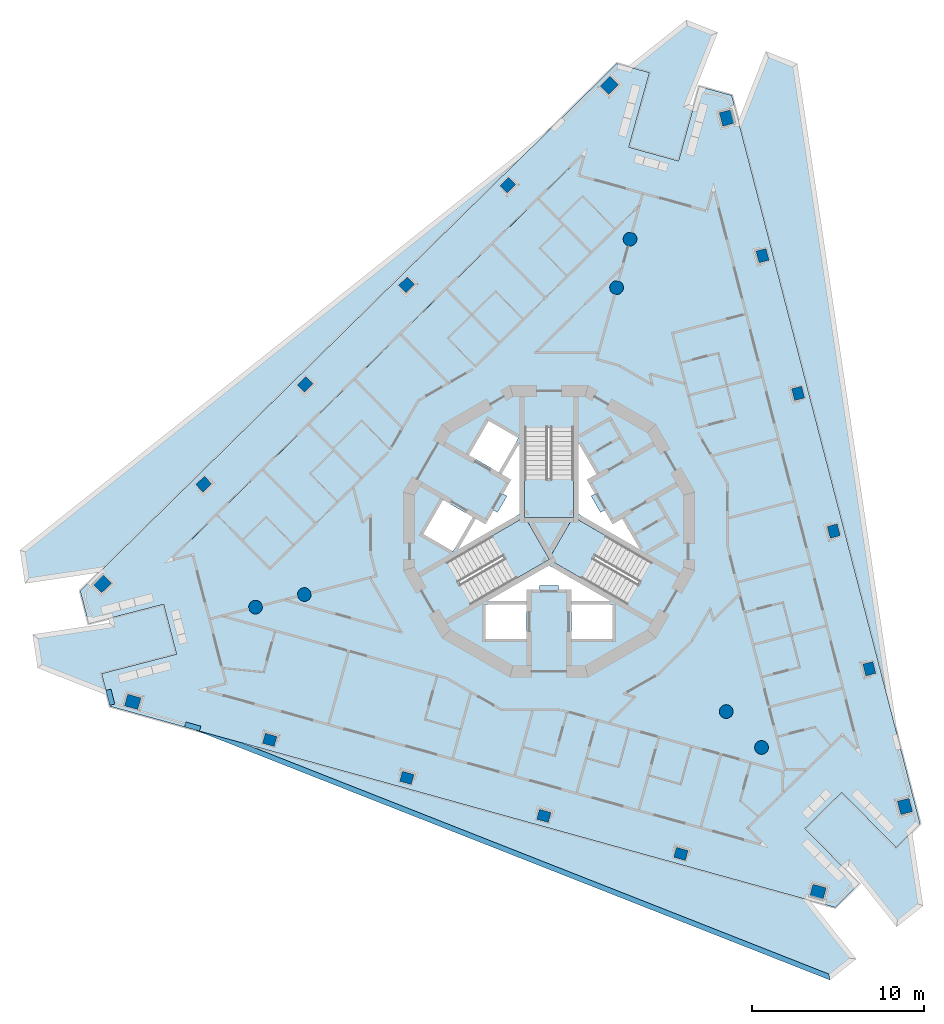
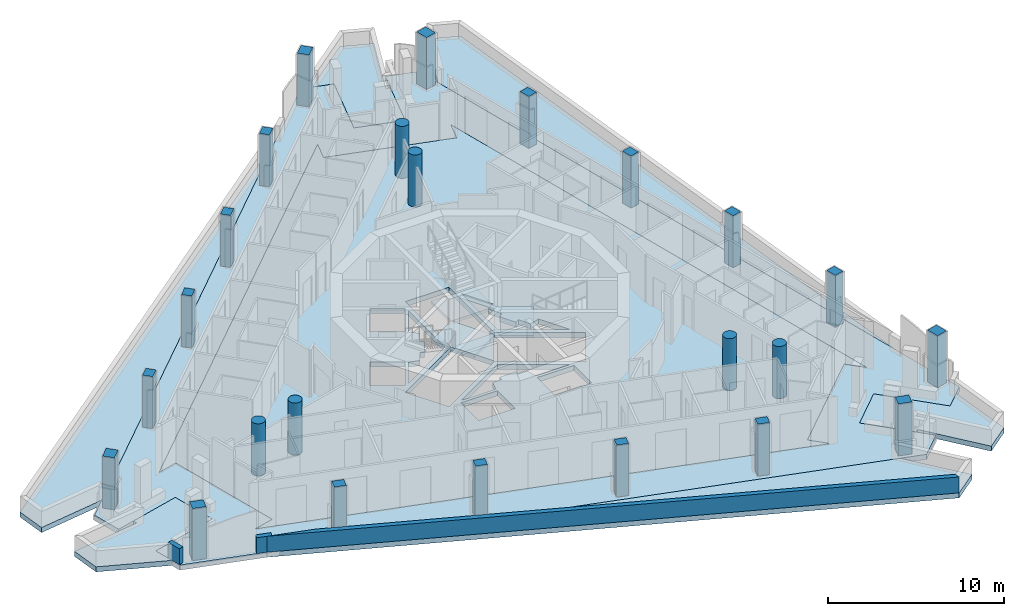
# One storey, part 1 of 14: 24 columns, 12 slabs, 3 walls, 3 elements without a shape of their own.
"""IFC4 building model written with IfcOpenShell, lengths in metres."""

from ifc_helpers import new_model, si_unit, direction, frame, origin, origin_2d, place, context, subcontext, project, spatial, polyline, rectangle, circle, outline, extrude, material, layer, layer_set, material_profile, profile_set, type_object, element, aggregate, save


model = new_model("IFC4")

# Units and contexts
model_context = context("Model", 3, precision=1e-05, world=origin(), true_north=direction((0.0, 1.0)))
body_context = subcontext(model_context, "Body", "Model", "MODEL_VIEW")
ifc_project = project(units=[si_unit("LENGTHUNIT", "METRE"), si_unit("AREAUNIT", "SQUARE_METRE"), si_unit("VOLUMEUNIT", "CUBIC_METRE"), si_unit("PLANEANGLEUNIT", "RADIAN"), si_unit("MASSUNIT", "GRAM", prefix="KILO")], contexts=[model_context])

# Site, building, storey
site_placement = place(None, origin())
site = spatial("IfcSite", under=ifc_project, at=site_placement, CompositionType="ELEMENT")
building_placement = place(site_placement, origin())
building = spatial("IfcBuilding", under=site, at=building_placement, Name="Trine Commons Tower", CompositionType="ELEMENT")
storey_placement = place(building_placement, frame((0.0, 0.0, 234.89990234375)))
storey = spatial("IfcBuildingStorey", under=building, at=storey_placement, Name="L61", CompositionType="ELEMENT", Elevation=234.89990234375)

# Columns
ifc_material_1 = material(Name="Concrete C50/60", Category="concrete")
ifc_material_profile_1 = material_profile(ifc_material_1, rectangle(XDim=0.699951171875, YDim=0.60009765625, at=origin_2d()), Name="RC 700x600")
ifc_profile_set_1 = profile_set([ifc_material_profile_1], Name="Concrete C50/60")
column_type_1 = type_object("IfcColumnType", Name="RC column 700x600, C50/60", PredefinedType="COLUMN", material=ifc_profile_set_1)
for number, where, z_axis, x_axis, name in (
    (1, (87.668701171875, 43.74072265625, -0.349853515625), (0.0, 0.0, 1.0), (-0.963630453209, 0.267238376078, 0.0), "Column PC7-02 L61"),
    (2, (79.70068359375, 45.950439453125, -0.349853515625), (0.0, 0.0, 1.0), (-0.963630453209, 0.267238376078, 0.0), "Column PC7-03 L61"),
    (3, (71.73291015625, 48.16015625, -0.349853515625), (0.0, 0.0, 1.0), (-0.963630453209, 0.267238376078, 0.0), "Column PC7-04 L61"),
    (4, (63.764892578125, 50.369873046875, -0.349853515625), (0.0, 0.0, 1.0), (-0.963630453209, 0.267238376078, 0.0), "Column PC7-05 L61"),
    (5, (59.91943359375, 65.23828125, -0.349853515625), (0.0, 0.0, 1.0), (0.713250449154, 0.7009092643, 0.0), "Column PC7-08 L61"),
    (6, (65.817138671875, 71.033935546875, -0.349853515625), (0.0, 0.0, 1.0), (0.713250449154, 0.7009092643, 0.0), "Column PC7-09 L61"),
    (7, (71.71484375, 76.82958984375, -0.349853515625), (0.0, 0.0, 1.0), (0.713250449154, 0.7009092643, 0.0), "Column PC7-10 L61"),
    (8, (77.612548828125, 82.625244140625, -0.349853515625), (0.0, 0.0, 1.0), (0.713250449154, 0.7009092643, 0.0), "Column PC7-11 L61"),
    (9, (92.41162109375, 78.52099609375, -0.349853515625), (0.0, 0.0, 1.0), (-0.250380004054, 0.968147640378, 0.0), "Column PC7-14 L61"),
    (10, (94.48193359375, 70.515625, -0.349853515625), (0.0, 0.0, 1.0), (-0.250380004054, 0.968147640378, 0.0), "Column PC7-15 L61"),
    (11, (96.55224609375, 62.51025390625, -0.349853515625), (0.0, 0.0, 1.0), (-0.250380004054, 0.968147640378, 0.0), "Column PC7-16 L61"),
    (12, (98.622802734375, 54.5048828125, -0.349853515625), (0.0, 0.0, 1.0), (-0.250380004054, 0.968147640378, 0.0), "Column PC7-17 L61"),
):
    element("IfcColumn", number, at=place(storey_placement, frame(where, z_axis=z_axis, x_axis=x_axis)), inside=storey, type_object=column_type_1, Name=name, PredefinedType="COLUMN", context=body_context, shape_type="SweptSolid", body=[
        extrude(rectangle(XDim=0.699951171875, YDim=0.60009765625, at=origin_2d()), origin(), (0.0, 0.0, 1.0), 3.949951171875),
    ])
ifc_material_profile_2 = material_profile(ifc_material_1, rectangle(XDim=0.800048828125, YDim=0.699951171875, at=origin_2d()), Name="RC 800x700")
ifc_profile_set_2 = profile_set([ifc_material_profile_2], Name="Concrete C50/60")
column_type_2 = type_object("IfcColumnType", Name="RC column 800x700, C50/60", PredefinedType="COLUMN", material=ifc_profile_set_2)
for number, where, z_axis, x_axis, name in (
    (13, (95.63671875, 41.531005859375, -0.349853515625), (0.0, 0.0, 1.0), (-0.963630453209, 0.267238376078, 0.0), "Column PC7-01 L61"),
    (14, (55.796875, 52.57958984375, -0.349853515625), (0.0, 0.0, 1.0), (-0.963630453209, 0.267238376078, 0.0), "Column PC7-06 L61"),
    (15, (54.02197265625, 59.442626953125, -0.349853515625), (0.0, 0.0, 1.0), (0.713250449154, 0.7009092643, 0.0), "Column PC7-07 L61"),
    (16, (83.51025390625, 88.4208984375, -0.349853515625), (0.0, 0.0, 1.0), (0.713250449154, 0.7009092643, 0.0), "Column PC7-12 L61"),
    (17, (90.34130859375, 86.5263671875, -0.349853515625), (0.0, 0.0, 1.0), (-0.250380004054, 0.968147640378, 0.0), "Column PC7-13 L61"),
    (18, (100.693115234375, 46.499755859375, -0.349853515625), (0.0, 0.0, 1.0), (-0.250380004054, 0.968147640378, 0.0), "Column PC7-18 L61"),
):
    element("IfcColumn", number, at=place(storey_placement, frame(where, z_axis=z_axis, x_axis=x_axis)), inside=storey, type_object=column_type_2, Name=name, PredefinedType="COLUMN", context=body_context, shape_type="SweptSolid", body=[
        extrude(rectangle(XDim=0.800048828125, YDim=0.699951171875, at=origin_2d()), origin(), (0.0, 0.0, 1.0), 3.949951171875),
    ])
ifc_material_profile_3 = material_profile(ifc_material_1, circle(Radius=0.39990234375, at=origin_2d()), Name="RC round 800")
ifc_profile_set_3 = profile_set([ifc_material_profile_3], Name="Concrete C50/60")
column_type_3 = type_object("IfcColumnType", Name="RC round column 800 mm, C50/60", PredefinedType="COLUMN", material=ifc_profile_set_3)
for number, where, z_axis, x_axis, name in (
    (19, (90.301513671875, 52.01708984375, -0.349853515625), (0.0, 0.0, 1.0), (1.0, 0.0, 0.0), "Column WC7-1 L61"),
    (20, (92.352783203125, 49.9296875, -0.349853515625), (0.0, 0.0, 1.0), (1.0, 0.0, 0.0), "Column WC7-2 L61"),
    (21, (83.927734375, 76.66259765625, -0.349853515625), (0.0, 0.0, 1.0), (1.0, 0.0, 0.0), "Column WC7-3 L61"),
    (22, (84.709716796875, 79.48291015625, -0.349853515625), (0.0, 0.0, 1.0), (1.0, 0.0, 0.0), "Column WC7-4 L61"),
    (23, (65.77099609375, 58.820068359375, -0.349853515625), (0.0, 0.0, 1.0), (1.0, 0.0, 0.0), "Column WC7-5 L61"),
    (24, (62.9375, 58.08740234375, -0.349853515625), (0.0, 0.0, 1.0), (1.0, 0.0, 0.0), "Column WC7-6 L61"),
):
    element("IfcColumn", number, at=place(storey_placement, frame(where, z_axis=z_axis, x_axis=x_axis)), inside=storey, type_object=column_type_3, Name=name, PredefinedType="COLUMN", context=body_context, shape_type="SweptSolid", body=[
        extrude(circle(Radius=0.39990234375, at=origin_2d()), origin(), (0.0, 0.0, 1.0), 3.949951171875),
    ])

# Slabs
ifc_material_2 = material(Name="Concrete C40/50", Category="concrete")
ifc_layer_1 = layer(ifc_material_2, 0.35009765625)
ifc_layer_set_1 = layer_set([ifc_layer_1], Name="Concrete C40/50")
slab_type_1 = type_object("IfcSlabType", Name="Loggia slab 350 mm, C40/50", PredefinedType="FLOOR", material=ifc_layer_set_1)
slab_1_placement = place(storey_placement, frame((0.0, 0.0, -0.349853515625)))
element("IfcSlab", 25, at=slab_1_placement, inside=storey, type_object=slab_type_1, Name="Loggia slab L61", PredefinedType="FLOOR", context=body_context, shape_type="SweptSolid", body=[
    extrude(outline(polyline([(101.57421875, 45.488037109375), (90.621826171875, 87.83837890625), (88.72900390625, 88.36328125), (87.526611328125, 84.02685546875), (84.6357421875, 84.82861328125), (85.838134765625, 89.1650390625), (83.945556640625, 89.68994140625), (52.745361328125, 59.029541015625), (53.2373046875, 57.1279296875), (57.593994140625, 58.254638671875), (58.344970703125, 55.350341796875), (53.98828125, 54.2236328125), (54.47998046875, 52.322021484375), (96.6328125, 40.632080078125), (98.03369140625, 42.0087890625), (94.879638671875, 45.218505859375), (97.019287109375, 47.321044921875), (100.17333984375, 44.111572265625), (101.57421875, 45.488037109375)]), holes=[polyline([(59.31640625, 61.17919921875), (61.26953125, 53.627685546875), (59.96728515625, 53.291015625), (92.42822265625, 44.28857421875), (91.485595703125, 45.248046875), (97.048828125, 50.715087890625), (97.99169921875, 49.755615234375), (89.557373046875, 82.368896484375), (89.197998046875, 81.07275390625), (81.681640625, 83.1572265625), (82.041015625, 84.453369140625), (58.014404296875, 60.84228515625), (59.31640625, 61.17919921875)])]), origin(), (0.0, 0.0, 1.0), 0.349853515625),
])
ifc_layer_2 = layer(ifc_material_2, 0.35009765625)
ifc_layer_set_2 = layer_set([ifc_layer_2], Name="Concrete C40/50")
slab_type_2 = type_object("IfcSlabType", Name="PT flat slab 350 mm, C40/50", PredefinedType="FLOOR", material=ifc_layer_set_2)
slab_2_placement = place(storey_placement, frame((0.0, 0.0, -0.349853515625)))
element("IfcSlab", 26, at=slab_2_placement, inside=storey, type_object=slab_type_2, Name="Floor slab L61", PredefinedType="FLOOR", context=body_context, shape_type="SweptSolid", body=[
    extrude(outline(polyline([(58.014404296875, 60.84228515625), (59.31640625, 61.17919921875), (61.26953125, 53.627685546875), (59.96728515625, 53.291015625), (92.42822265625, 44.28857421875), (91.485595703125, 45.248046875), (97.048828125, 50.715087890625), (97.99169921875, 49.755615234375), (89.557373046875, 82.368896484375), (89.197998046875, 81.07275390625), (81.681640625, 83.1572265625), (82.041015625, 84.453369140625), (58.014404296875, 60.84228515625)]), holes=[polyline([(78.699951171875, 56.25), (78.699951171875, 58.25), (76.300048828125, 58.25), (76.300048828125, 56.25), (78.699951171875, 56.25)]), polyline([(83.699951171875, 56.25), (83.699951171875, 58.25), (81.300048828125, 58.25), (81.300048828125, 56.25), (83.699951171875, 56.25)]), polyline([(81.300048828125, 58.449951171875), (83.56494140625, 58.449951171875), (80.0, 60.508056640625), (76.43505859375, 58.449951171875), (78.699951171875, 58.449951171875), (78.85009765625, 59.10009765625), (79.449951171875, 59.10009765625), (79.449951171875, 59.360107421875), (80.550048828125, 59.360107421875), (80.550048828125, 59.10009765625), (81.14990234375, 59.10009765625), (81.300048828125, 58.449951171875)]), polyline([(81.425048828125, 63.32275390625), (81.425048828125, 68.490478515625), (78.574951171875, 68.490478515625), (78.574951171875, 63.32275390625), (74.099609375, 60.73876953125), (75.5244140625, 58.2705078125), (80.0, 60.8544921875), (84.4755859375, 58.2705078125), (85.900390625, 60.73876953125), (81.425048828125, 63.32275390625)]), polyline([(72.687255859375, 62.333984375), (74.41943359375, 61.333984375), (75.5693359375, 63.325927734375), (73.83740234375, 64.325927734375), (72.687255859375, 62.333984375)]), polyline([(76.381103515625, 63.031005859375), (75.742919921875, 63.22607421875), (74.7099609375, 61.43798828125), (78.27490234375, 63.49609375), (78.27490234375, 67.612060546875), (77.242919921875, 65.823974609375), (77.73095703125, 65.368896484375), (77.3310546875, 64.676025390625), (77.555908203125, 64.5458984375), (77.006103515625, 63.593994140625), (76.781005859375, 63.722900390625), (76.381103515625, 63.031005859375)]), polyline([(82.993896484375, 63.593994140625), (82.444091796875, 64.5458984375), (82.72705078125, 64.7099609375), (82.281005859375, 65.549072265625), (82.757080078125, 65.823974609375), (81.72509765625, 67.612060546875), (81.72509765625, 63.49609375), (85.2900390625, 61.43798828125), (84.257080078125, 63.22607421875), (83.618896484375, 63.031005859375), (83.243896484375, 63.738037109375), (82.993896484375, 63.593994140625)]), polyline([(76.4873046875, 68.916015625), (75.33740234375, 66.924072265625), (77.0693359375, 65.924072265625), (78.219482421875, 67.916015625), (76.4873046875, 68.916015625)])]), origin(), (0.0, 0.0, 1.0), 0.349853515625),
])
slab_3_placement = place(storey_placement, frame((0.0, 0.0, -0.349853515625)))
element("IfcSlab", 27, at=slab_3_placement, inside=storey, type_object=slab_type_2, Name="Floor slab L61 2", PredefinedType="FLOOR", context=body_context, shape_type="SweptSolid", body=[
    extrude(outline(polyline([(81.38671875, 63.300537109375), (78.61328125, 63.300537109375), (80.0, 60.89892578125), (81.38671875, 63.300537109375)])), origin(), (0.0, 0.0, 1.0), 0.349853515625),
])
ifc_layer_3 = layer(ifc_material_2, 0.35009765625)
ifc_layer_set_3 = layer_set([ifc_layer_3], Name="Concrete C40/50")
slab_type_3 = type_object("IfcSlabType", Name="Roof slab 350 mm, C40/50", PredefinedType="ROOF", material=ifc_layer_set_3)
slab_4_placement = place(storey_placement, frame((0.0, 0.0, -0.349853515625)))
element("IfcSlab", 28, at=slab_4_placement, inside=storey, type_object=slab_type_3, Name="Roof slab L61 1", PredefinedType="ROOF", context=body_context, shape_type="SweptSolid", body=[
    extrude(outline(polyline([(54.3154296875, 52.958984375), (53.98828125, 54.2236328125), (58.344970703125, 55.350341796875), (57.593994140625, 58.254638671875), (54.3876953125, 57.425537109375), (54.42724609375, 57.16162109375), (49.976806640625, 56.496337890625), (50.26708984375, 54.5537109375), (54.3154296875, 52.958984375)])), origin(), (0.0, 0.0, 1.0), 0.349853515625),
])
slab_5_placement = place(storey_placement, frame((0.0, 0.0, -0.349853515625)))
element("IfcSlab", 29, at=slab_5_placement, inside=storey, type_object=slab_type_3, Name="Roof slab L61 2", PredefinedType="ROOF", context=body_context, shape_type="SweptSolid", body=[
    extrude(outline(polyline([(53.84228515625, 60.107421875), (80.31298828125, 86.1201171875), (49.242919921875, 61.406005859375), (49.533203125, 59.46337890625), (53.84228515625, 60.107421875)])), origin(), (0.0, 0.0, 1.0), 0.349853515625),
])
slab_6_placement = place(storey_placement, frame((0.0, 0.0, -0.349853515625)))
element("IfcSlab", 30, at=slab_6_placement, inside=storey, type_object=slab_type_3, Name="Roof slab L61 3", PredefinedType="ROOF", context=body_context, shape_type="SweptSolid", body=[
    extrude(outline(polyline([(95.15087890625, 41.04296875), (59.387939453125, 50.9609375), (96.325927734375, 36.41064453125), (97.86328125, 37.63330078125), (95.15087890625, 41.04296875)])), origin(), (0.0, 0.0, 1.0), 0.349853515625),
])
slab_7_placement = place(storey_placement, frame((0.0, 0.0, -0.349853515625)))
element("IfcSlab", 31, at=slab_7_placement, inside=storey, type_object=slab_type_3, Name="Roof slab L61 4", PredefinedType="ROOF", context=body_context, shape_type="SweptSolid", body=[
    extrude(outline(polyline([(84.57958984375, 89.513916015625), (85.838134765625, 89.1650390625), (84.6357421875, 84.82861328125), (87.526611328125, 84.02685546875), (88.41162109375, 87.218017578125), (88.1630859375, 87.31591796875), (89.812255859375, 91.502685546875), (87.98486328125, 92.22265625), (84.57958984375, 89.513916015625)])), origin(), (0.0, 0.0, 1.0), 0.349853515625),
])
slab_8_placement = place(storey_placement, frame((0.0, 0.0, -0.349853515625)))
element("IfcSlab", 32, at=slab_8_placement, inside=storey, type_object=slab_type_3, Name="Roof slab L61 5", PredefinedType="ROOF", context=body_context, shape_type="SweptSolid", body=[
    extrude(outline(polyline([(91.0068359375, 86.349609375), (100.299072265625, 50.4189453125), (94.430908203125, 89.683349609375), (92.603515625, 90.4033203125), (91.0068359375, 86.349609375)])), origin(), (0.0, 0.0, 1.0), 0.349853515625),
])
slab_9_placement = place(storey_placement, frame((0.0, 0.0, -0.349853515625)))
element("IfcSlab", 33, at=slab_9_placement, inside=storey, type_object=slab_type_3, Name="Roof slab L61 6", PredefinedType="ROOF", context=body_context, shape_type="SweptSolid", body=[
    extrude(outline(polyline([(101.748046875, 40.7236328125), (101.10498046875, 45.02685546875), (100.17333984375, 44.111572265625), (97.019287109375, 47.321044921875), (94.879638671875, 45.218505859375), (97.20068359375, 42.8564453125), (97.40966796875, 43.022705078125), (100.2109375, 39.5009765625), (101.748046875, 40.7236328125)])), origin(), (0.0, 0.0, 1.0), 0.349853515625),
])

# Stair, slab
stair_type = type_object("IfcStairType", Name="Exit stair, dog-leg, 24 risers of 150 mm", PredefinedType="HALF_TURN_STAIR", material=ifc_material_1)
stair_1_placement = place(storey_placement, origin())
stair_1 = element("IfcStair", 34, at=stair_1_placement, inside=storey, type_object=stair_type, Name="L61 Exit stair ST1C", PredefinedType="HALF_TURN_STAIR")
ifc_layer_4 = layer(ifc_material_1, 0.199951171875)
ifc_layer_set_4 = layer_set([ifc_layer_4], Name="Concrete C50/60")
slab_type_4 = type_object("IfcSlabType", Name="Stair landing slab 200 mm, C50/60", PredefinedType="LANDING", material=ifc_layer_set_4)
slab_10_placement = place(storey_placement, frame((0.0, 0.0, 1.60009765625)))
slab_10 = element("IfcSlab", 35, at=slab_10_placement, type_object=slab_type_4, Name="ST1C landing 1", PredefinedType="LANDING", context=body_context, shape_type="SweptSolid", body=[
    extrude(outline(polyline([(78.574951171875, 65.570556640625), (78.574951171875, 63.300537109375), (81.425048828125, 63.300537109375), (81.425048828125, 65.570556640625), (78.574951171875, 65.570556640625)])), origin(), (0.0, 0.0, 1.0), 0.199951171875),
])
aggregate(stair_1, [slab_10])

stair_2_placement = place(storey_placement, origin())
stair_2 = element("IfcStair", 36, at=stair_2_placement, inside=storey, type_object=stair_type, Name="L61 Exit stair ST2C", PredefinedType="HALF_TURN_STAIR")
slab_11_placement = place(storey_placement, frame((0.0, 0.0, 1.60009765625)))
slab_11 = element("IfcSlab", 37, at=slab_11_placement, type_object=slab_type_4, Name="ST2C landing 1", PredefinedType="LANDING", context=body_context, shape_type="SweptSolid", body=[
    extrude(outline(polyline([(78.05322265625, 59.730712890625), (80.019287109375, 60.86572265625), (78.59423828125, 63.333740234375), (76.628173828125, 62.19873046875), (78.05322265625, 59.730712890625)])), origin(), (0.0, 0.0, 1.0), 0.199951171875),
])
aggregate(stair_2, [slab_11])

stair_3_placement = place(storey_placement, origin())
stair_3 = element("IfcStair", 38, at=stair_3_placement, inside=storey, type_object=stair_type, Name="L61 Exit stair ST3C", PredefinedType="HALF_TURN_STAIR")
slab_12_placement = place(storey_placement, frame((0.0, 0.0, 1.60009765625)))
slab_12 = element("IfcSlab", 39, at=slab_12_placement, type_object=slab_type_4, Name="ST3C landing 1", PredefinedType="LANDING", context=body_context, shape_type="SweptSolid", body=[
    extrude(outline(polyline([(83.371826171875, 62.19873046875), (81.40576171875, 63.333740234375), (79.980712890625, 60.86572265625), (81.94677734375, 59.730712890625), (83.371826171875, 62.19873046875)])), origin(), (0.0, 0.0, 1.0), 0.199951171875),
])
aggregate(stair_3, [slab_12])

# Walls
ifc_material_3 = material(Name="Limestone, honed", Category="masonry")
ifc_layer_5 = layer(ifc_material_3, 0.300048828125)
ifc_layer_set_5 = layer_set([ifc_layer_5], Name="Limestone, honed")
wall_type = type_object("IfcWallType", Name="Stone parapet 300", PredefinedType="PARAPET", material=ifc_layer_set_5)
wall_1_placement = place(storey_placement, origin())
element("IfcWall", 40, at=wall_1_placement, inside=storey, type_object=wall_type, Name="Sliver roof parapet extension L60 1.X2", PredefinedType="PARAPET", context=body_context, shape_type="SweptSolid", body=[
    extrude(outline(polyline([(54.465576171875, 52.378173828125), (54.756103515625, 52.453369140625), (54.53076171875, 53.32470703125), (54.240234375, 53.24951171875), (54.361083984375, 52.7822265625), (54.465576171875, 52.378173828125)])), origin(), (0.0, 0.0, 1.0), 1.10009765625),
])
wall_2_placement = place(storey_placement, origin())
element("IfcWall", 41, at=wall_2_placement, inside=storey, type_object=wall_type, Name="Sliver roof parapet L60 3.1", PredefinedType="PARAPET", context=body_context, shape_type="SweptSolid", body=[
    extrude(outline(polyline([(59.387939453125, 50.9609375), (96.325927734375, 36.41064453125), (96.27490234375, 36.75341796875), (62.153564453125, 50.194091796875), (59.387939453125, 50.9609375)])), origin(), (0.0, 0.0, 1.0), 1.10009765625),
])
wall_3_placement = place(storey_placement, origin())
element("IfcWall", 42, at=wall_3_placement, inside=storey, type_object=wall_type, Name="Sliver roof parapet extension L60 3.X1", PredefinedType="PARAPET", context=body_context, shape_type="SweptSolid", body=[
    extrude(outline(polyline([(58.889892578125, 51.410400390625), (58.809814453125, 51.121337890625), (59.677001953125, 50.880859375), (59.757080078125, 51.169921875), (58.889892578125, 51.410400390625)])), origin(), (0.0, 0.0, 1.0), 1.10009765625),
])

save(model, "model.ifc")
